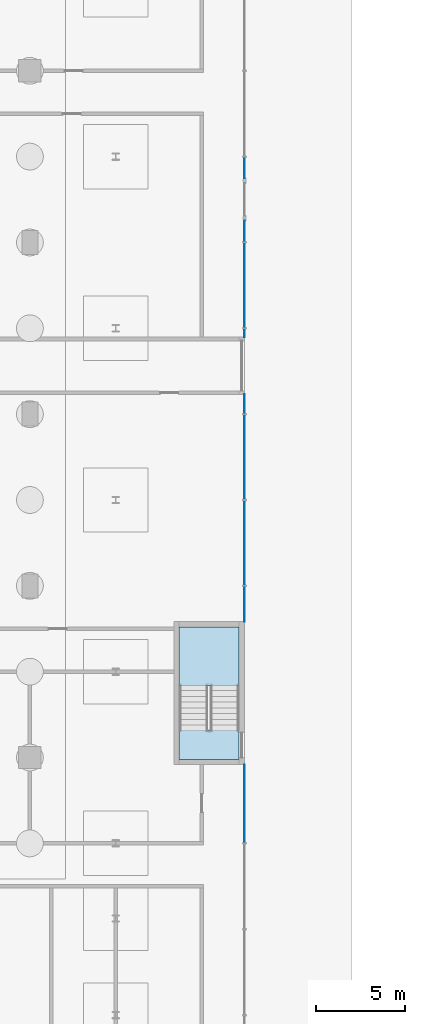
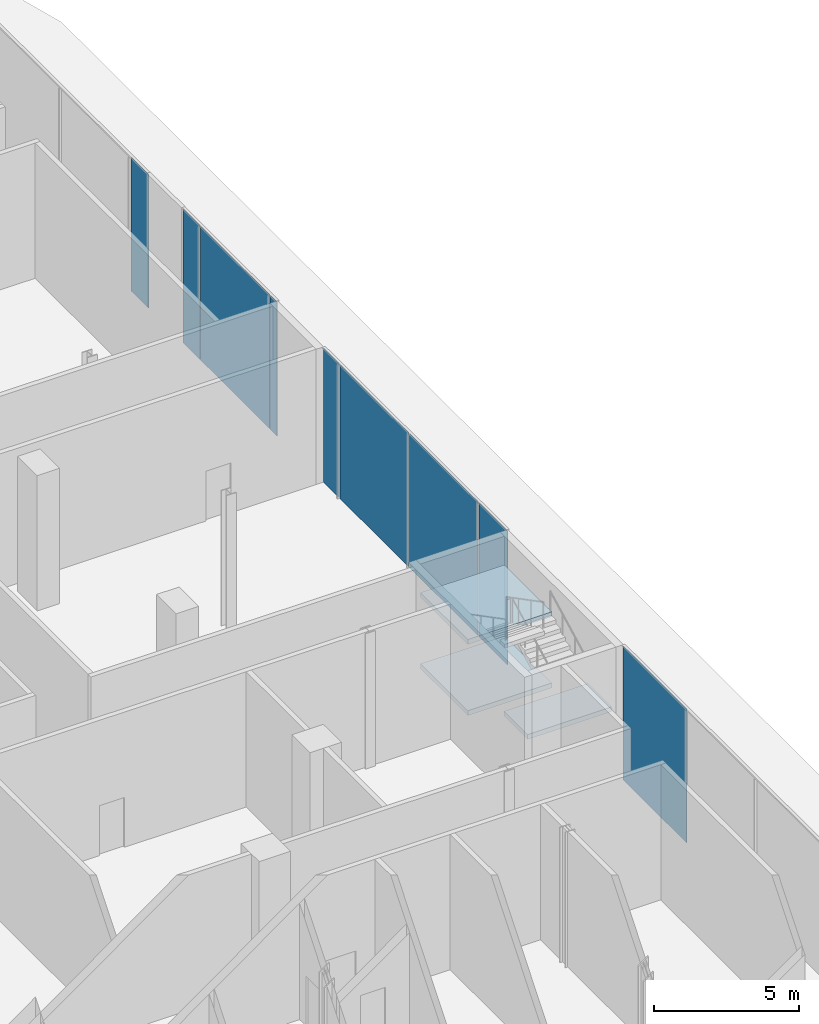
# One storey, part 27 of 44: 9 plates, 3 slabs, 2 elements without a shape of their own.
"""IFC4 building model written with IfcOpenShell, lengths in metres."""

import ifcopenshell
import ifcopenshell.guid

model = None  # the IFC model being written
_history = None  # IfcOwnerHistory: only IFC2X3 demands one
_inside = {}  # id of a spatial element -> (the spatial element, [elements in it])
_under = {}  # id of a project, library or spatial element -> (it, [spatial elements below it])
_declared = {}  # id of a project -> (the project, [libraries it declares])
_typed = {}  # id of a type object -> (the type object, [elements of that type])
_made_of = {}  # id of a material, layer set ... -> (it, [elements and type objects made of it])


def new_model(schema):
    """Start an empty IFC model of exactly this schema.

    Asked for "IFC4X3", IfcOpenShell would pick the latest addendum, in which some entities
    have other attributes; the version numbers below select the first issue.
    IFC2X3 requires an IfcOwnerHistory on every rooted entity: one is made here for all.
    """
    global model, _history
    if schema == "IFC4X3":
        model = ifcopenshell.file(schema_version=(4, 3, 0, 0))
    else:
        model = ifcopenshell.file(schema=schema)
    _inside.clear()
    _under.clear()
    _declared.clear()
    _typed.clear()
    _made_of.clear()
    _history = None
    if model.schema == "IFC2X3":
        org = make("IfcOrganization", Name="unknown")
        user = make(
            "IfcPersonAndOrganization",
            ThePerson=make("IfcPerson", FamilyName="unknown"),
            TheOrganization=org,
        )
        app = make(
            "IfcApplication",
            ApplicationDeveloper=org,
            Version="unknown",
            ApplicationFullName="unknown",
            ApplicationIdentifier="unknown",
        )
        _history = make(
            "IfcOwnerHistory",
            OwningUser=user,
            OwningApplication=app,
            ChangeAction="ADDED",
            CreationDate=0,
        )
    return model


def make(cls, **values):
    """One entity of the class cls with the attributes given. An attribute that is None is left unset."""
    return model.create_entity(
        cls, **{name: value for name, value in values.items() if value is not None}
    )


def rooted(cls, **values):
    """An entity with a GlobalId (a new one), such as an element, a storey or a relation."""
    return make(cls, GlobalId=ifcopenshell.guid.new(), OwnerHistory=_history, **values)


def si_unit(unit_type, name, prefix=None):
    """IfcSIUnit, for example si_unit("LENGTHUNIT", "METRE", prefix="MILLI")."""
    return make("IfcSIUnit", UnitType=unit_type, Prefix=prefix, Name=name)


def assignment(units):
    """IfcUnitAssignment: the units of a project."""
    return None if units is None else make("IfcUnitAssignment", Units=units)


def point(xyz):
    """IfcCartesianPoint."""
    return None if xyz is None else make("IfcCartesianPoint", Coordinates=xyz)


def direction(xyz):
    """IfcDirection."""
    return None if xyz is None else make("IfcDirection", DirectionRatios=xyz)


def frame(location, z_axis=None, x_axis=None):
    """IfcAxis2Placement3D, a coordinate frame: its origin and axes. An axis left out is left unset."""
    return make(
        "IfcAxis2Placement3D",
        Location=point(location),
        Axis=direction(z_axis),
        RefDirection=direction(x_axis),
    )


def frame_2d(location, x_axis=None):
    """IfcAxis2Placement2D, a coordinate frame in the plane: its origin and x axis."""
    return make(
        "IfcAxis2Placement2D", Location=point(location), RefDirection=direction(x_axis)
    )


def origin():
    """The frame at (0, 0, 0) with its axes left unset."""
    return frame((0.0, 0.0, 0.0))


def origin_2d():
    """The frame at (0, 0) in the plane with its x axis left unset."""
    return frame_2d((0.0, 0.0))


def place(relative_to, where):
    """IfcLocalPlacement: puts the frame where relative to a parent placement (None: the world)."""
    return make(
        "IfcLocalPlacement", PlacementRelTo=relative_to, RelativePlacement=where
    )


def context(
    kind, dimensions, precision=None, world=None, true_north=None, identifier=None
):
    """IfcGeometricRepresentationContext, for example the 3D "Model" context."""
    return make(
        "IfcGeometricRepresentationContext",
        ContextIdentifier=identifier,
        ContextType=kind,
        CoordinateSpaceDimension=dimensions,
        Precision=precision,
        WorldCoordinateSystem=world,
        TrueNorth=true_north,
    )


def subcontext(parent, identifier, kind, view, scale=None):
    """IfcGeometricRepresentationSubContext, for example "Body" below "Model"."""
    return make(
        "IfcGeometricRepresentationSubContext",
        ContextIdentifier=identifier,
        ContextType=kind,
        ParentContext=parent,
        TargetScale=scale,
        TargetView=view,
    )


def project(units=None, contexts=None):
    """IfcProject with its units and contexts."""
    return rooted(
        "IfcProject",
        Name="project",
        RepresentationContexts=contexts,
        UnitsInContext=assignment(units),
    )


def spatial(cls, under=None, at=None, **own):
    """A site, building, storey or space (cls), placed at a placement, below another one or the project."""
    s = rooted(cls, ObjectPlacement=at, **own)
    if under is not None:
        _under.setdefault(under.id(), (under, []))[1].append(s)
    return s


def polyline(points):
    """IfcPolyline through the points."""
    return make("IfcPolyline", Points=[point(p) for p in points])


def profile(cls, at=None, kind="AREA", **sizes):
    """A parametric profile (cls). Its sizes go by their IFC names, for example OverallWidth=200.0."""
    return make(cls, ProfileType=kind, Position=at, **sizes)


def rectangle(**sizes):
    """IfcRectangleProfileDef."""
    return profile("IfcRectangleProfileDef", **sizes)


def outline(outer, holes=None, kind="AREA"):
    """IfcArbitraryClosedProfileDef: a profile drawn as a closed curve; with holes, ...WithVoids."""
    if holes is None:
        return make("IfcArbitraryClosedProfileDef", ProfileType=kind, OuterCurve=outer)
    return make(
        "IfcArbitraryProfileDefWithVoids",
        ProfileType=kind,
        OuterCurve=outer,
        InnerCurves=holes,
    )


def extrude(swept, where, along, depth):
    """IfcExtrudedAreaSolid: the profile swept, set in the frame where, extruded along a direction by depth."""
    return make(
        "IfcExtrudedAreaSolid",
        SweptArea=swept,
        Position=where,
        ExtrudedDirection=direction(along),
        Depth=depth,
    )


def shape(context_of_items, identifier, shape_type, items):
    """IfcShapeRepresentation: the items that make up one representation, for example the "Body"."""
    return make(
        "IfcShapeRepresentation",
        ContextOfItems=context_of_items,
        RepresentationIdentifier=identifier,
        RepresentationType=shape_type,
        Items=items,
    )


def material(Name=None, Category=None):
    """IfcMaterial."""
    return make("IfcMaterial", Name=Name, Category=Category)


def layer(
    of_material, thickness, ventilated=None, Name=None, Category=None, Priority=None
):
    """IfcMaterialLayer: one layer of a wall or slab, of a material (None: an air gap)."""
    return make(
        "IfcMaterialLayer",
        Material=of_material,
        LayerThickness=thickness,
        IsVentilated=ventilated,
        Name=Name,
        Category=Category,
        Priority=Priority,
    )


def layer_set(layers, Name=None):
    """IfcMaterialLayerSet."""
    return make("IfcMaterialLayerSet", MaterialLayers=layers, LayerSetName=Name)


def made_of(thing, what):
    """Note that an element or type object is made of a material, layer set ...; save() writes the relation."""
    if what is not None:
        _made_of.setdefault(what.id(), (what, []))[1].append(thing)
    return thing


def type_object(cls, material=None, **own):
    """A type object (cls), such as IfcWallType, which elements share."""
    return made_of(rooted(cls, **own), material)


def element(
    cls,
    number,
    at=None,
    inside=None,
    cuts=None,
    type_object=None,
    material=None,
    context=None,
    identifier="Body",
    shape_type=None,
    held_by="IfcProductDefinitionShape",
    body=None,
    shapes=None,
    **own,
):
    """One element of the class cls, such as IfcWall. Its Tag is "e" and its number.

    at: its placement. inside: the storey or other place that contains it. cuts: it is an
    opening in that element (IfcRelVoidsElement). A single representation is given by context,
    identifier, shape_type and body (its items); several are given by shapes. held_by: the class
    of the entity that holds the representations. save() writes the other relations.
    """
    e = rooted(cls, Tag="e%d" % number, ObjectPlacement=at, **own)
    if body is not None:
        shapes = [shape(context, identifier, shape_type, body)]
    if shapes is not None:
        e.Representation = make(held_by, Representations=shapes)
    if inside is not None:
        _inside.setdefault(inside.id(), (inside, []))[1].append(e)
    if cuts is not None:
        rooted(
            "IfcRelVoidsElement", RelatingBuildingElement=cuts, RelatedOpeningElement=e
        )
    if type_object is not None:
        _typed.setdefault(type_object.id(), (type_object, []))[1].append(e)
    return made_of(e, material)


def aggregate(whole, parts):
    """IfcRelAggregates: a whole, such as a stair, and the parts it consists of."""
    return rooted("IfcRelAggregates", RelatingObject=whole, RelatedObjects=parts)


def save(model, path):
    """Write the relations noted so far, then the file.

    IfcRelAggregates (storeys below a building ...), IfcRelContainedInSpatialStructure (elements
    in a storey), IfcRelDefinesByType, IfcRelAssociatesMaterial and IfcRelDeclares: one each for
    every whole, place, type object, material and project.
    """
    for whole, parts in _under.values():
        aggregate(whole, parts)
    for where, things in _inside.values():
        rooted(
            "IfcRelContainedInSpatialStructure",
            RelatedElements=things,
            RelatingStructure=where,
        )
    for kind, things in _typed.values():
        rooted("IfcRelDefinesByType", RelatedObjects=things, RelatingType=kind)
    for what, things in _made_of.values():
        rooted("IfcRelAssociatesMaterial", RelatedObjects=things, RelatingMaterial=what)
    for by, libraries in _declared.values():
        rooted("IfcRelDeclares", RelatingContext=by, RelatedDefinitions=libraries)
    model.write(path)


model = new_model("IFC4")

# Units and contexts
model_context = context("Model", 3, precision=1e-05, world=origin(), true_north=direction((0.0, 1.0)))
body_context = subcontext(model_context, "Body", "Model", "MODEL_VIEW")
ifc_project = project(units=[si_unit("LENGTHUNIT", "METRE"), si_unit("AREAUNIT", "SQUARE_METRE"), si_unit("VOLUMEUNIT", "CUBIC_METRE"), si_unit("PLANEANGLEUNIT", "RADIAN"), si_unit("MASSUNIT", "GRAM", prefix="KILO")], contexts=[model_context])

# Site, building, storey
site_placement = place(None, origin())
site = spatial("IfcSite", under=ifc_project, at=site_placement, CompositionType="ELEMENT")
building_placement = place(site_placement, origin())
building = spatial("IfcBuilding", under=site, at=building_placement, Name="Madar Terraces", CompositionType="ELEMENT")
storey_placement = place(building_placement, origin())
storey = spatial("IfcBuildingStorey", under=building, at=storey_placement, Name="L00", CompositionType="ELEMENT", Elevation=0.0)

# Curtain wall, plates
ifc_material_1 = material(Name="Glass, clear low-iron, with black aluminium frame", Category="aluminium")
ifc_layer_1 = layer(ifc_material_1, 0.199951171875)
ifc_layer_set_1 = layer_set([ifc_layer_1], Name="Facade curtain wall, shopfront glazing")
curtain_wall_type = type_object("IfcCurtainWallType", Name="Facade curtain wall, shopfront glazing", PredefinedType="NOTDEFINED", material=ifc_layer_set_1)
curtain_wall_placement = place(storey_placement, origin())
curtain_wall = element("IfcCurtainWall", 1, at=curtain_wall_placement, inside=storey, type_object=curtain_wall_type, Name="Outer skin curtain wall east bay 1", PredefinedType="NOTDEFINED")
ifc_material_2 = material(Name="Glass, ceramic frit dark grey", Category="glass")
ifc_layer_2 = layer(ifc_material_2, 0.028076171875)
ifc_layer_set_2 = layer_set([ifc_layer_2], Name="Facade glass panel 28")
plate_type = type_object("IfcPlateType", Name="Facade glass panel 28", PredefinedType="CURTAIN_PANEL", material=ifc_layer_set_2)
plate_1_placement = place(storey_placement, frame((69.60009765625, 2.215087890625, 0.0), z_axis=(0.0, 0.0, 1.0), x_axis=(0.0, 1.0, 0.0)))
plate_1 = element("IfcPlate", 2, at=plate_1_placement, type_object=plate_type, Name="Panel 12", PredefinedType="CURTAIN_PANEL", context=body_context, shape_type="SweptSolid", body=[
    extrude(rectangle(XDim=4.3701171875, YDim=0.028076171875, at=origin_2d()), origin(), (0.0, 0.0, 1.0), 5.639892578125),
])
plate_2_placement = place(storey_placement, frame((69.60009765625, 13.385009765625, 0.0), z_axis=(0.0, 0.0, 1.0), x_axis=(0.0, 1.0, 0.0)))
plate_2 = element("IfcPlate", 3, at=plate_2_placement, type_object=plate_type, Name="Panel 13", PredefinedType="CURTAIN_PANEL", context=body_context, shape_type="SweptSolid", body=[
    extrude(rectangle(XDim=1.969970703125, YDim=0.028076171875, at=origin_2d()), origin(), (0.0, 0.0, 1.0), 5.639892578125),
])
plate_3_placement = place(storey_placement, frame((69.60009765625, 16.800048828125, 0.0), z_axis=(0.0, 0.0, 1.0), x_axis=(0.0, 1.0, 0.0)))
plate_3 = element("IfcPlate", 4, at=plate_3_placement, type_object=plate_type, Name="Panel 14", PredefinedType="CURTAIN_PANEL", context=body_context, shape_type="SweptSolid", body=[
    extrude(rectangle(XDim=4.739990234375, YDim=0.028076171875, at=origin_2d()), origin(), (0.0, 0.0, 1.0), 5.639892578125),
])
plate_4_placement = place(storey_placement, frame((69.60009765625, 21.60009765625, 0.0), z_axis=(0.0, 0.0, 1.0), x_axis=(0.0, 1.0, 0.0)))
plate_4 = element("IfcPlate", 5, at=plate_4_placement, type_object=plate_type, Name="Panel 15", PredefinedType="CURTAIN_PANEL", context=body_context, shape_type="SweptSolid", body=[
    extrude(rectangle(XDim=4.739990234375, YDim=0.028076171875, at=origin_2d()), origin(), (0.0, 0.0, 1.0), 5.639892578125),
])
plate_5_placement = place(storey_placement, frame((69.60009765625, 24.56494140625, 0.0), z_axis=(0.0, 0.0, 1.0), x_axis=(0.0, 1.0, 0.0)))
plate_5 = element("IfcPlate", 6, at=plate_5_placement, type_object=plate_type, Name="Panel 16", PredefinedType="CURTAIN_PANEL", context=body_context, shape_type="SweptSolid", body=[
    extrude(rectangle(XDim=1.070068359375, YDim=0.028076171875, at=origin_2d()), origin(), (0.0, 0.0, 1.0), 5.639892578125),
])
plate_6_placement = place(storey_placement, frame((69.60009765625, 28.534912109375, 0.0), z_axis=(0.0, 0.0, 1.0), x_axis=(0.0, 1.0, 0.0)))
plate_6 = element("IfcPlate", 7, at=plate_6_placement, type_object=plate_type, Name="Panel 17", PredefinedType="CURTAIN_PANEL", context=body_context, shape_type="SweptSolid", body=[
    extrude(rectangle(XDim=0.469970703125, YDim=0.028076171875, at=origin_2d()), origin(), (0.0, 0.0, 1.0), 5.639892578125),
])
plate_7_placement = place(storey_placement, frame((69.60009765625, 31.199951171875, 0.0), z_axis=(0.0, 0.0, 1.0), x_axis=(0.0, 1.0, 0.0)))
plate_7 = element("IfcPlate", 8, at=plate_7_placement, type_object=plate_type, Name="Panel 18", PredefinedType="CURTAIN_PANEL", context=body_context, shape_type="SweptSolid", body=[
    extrude(rectangle(XDim=4.739990234375, YDim=0.028076171875, at=origin_2d()), origin(), (0.0, 0.0, 1.0), 5.639892578125),
])
plate_8_placement = place(storey_placement, frame((69.60009765625, 34.215087890625, 0.0), z_axis=(0.0, 0.0, 1.0), x_axis=(0.0, 1.0, 0.0)))
plate_8 = element("IfcPlate", 9, at=plate_8_placement, type_object=plate_type, Name="Panel 19", PredefinedType="CURTAIN_PANEL", context=body_context, shape_type="SweptSolid", body=[
    extrude(rectangle(XDim=1.169921875, YDim=0.028076171875, at=origin_2d()), origin(), (0.0, 0.0, 1.0), 5.639892578125),
])
plate_9_placement = place(storey_placement, frame((69.60009765625, 37.784912109375, 0.0), z_axis=(0.0, 0.0, 1.0), x_axis=(0.0, 1.0, 0.0)))
plate_9 = element("IfcPlate", 10, at=plate_9_placement, type_object=plate_type, Name="Panel 20", PredefinedType="CURTAIN_PANEL", context=body_context, shape_type="SweptSolid", body=[
    extrude(rectangle(XDim=1.169921875, YDim=0.028076171875, at=origin_2d()), origin(), (0.0, 0.0, 1.0), 5.639892578125),
])
aggregate(curtain_wall, [plate_1, plate_2, plate_3, plate_4, plate_5, plate_6, plate_7, plate_8, plate_9])

# Stair, slabs
ifc_material_3 = material(Name="Concrete C50/60", Category="concrete")
stair_type = type_object("IfcStairType", Name="Stair PS3 protected exit", PredefinedType="HALF_TURN_STAIR", material=ifc_material_3)
stair_placement = place(storey_placement, origin())
stair = element("IfcStair", 11, at=stair_placement, inside=storey, type_object=stair_type, Name="L00 Protected Exit Stair PS3", PredefinedType="HALF_TURN_STAIR")
ifc_material_4 = material(Name="Concrete C50/60", Category="concrete")
ifc_layer_3 = layer(ifc_material_4, 0.199951171875)
ifc_layer_set_3 = layer_set([ifc_layer_3], Name="Stair landing 200, top +1.50")
slab_type_1 = type_object("IfcSlabType", Name="Stair landing 200, top +1.50", PredefinedType="LANDING", material=ifc_layer_set_3)
slab_1_placement = place(storey_placement, frame((0.0, 0.0, 1.300048828125)))
slab_1 = element("IfcSlab", 12, at=slab_1_placement, type_object=slab_type_1, Name="PS3 landing 1", PredefinedType="LANDING", context=body_context, shape_type="SweptSolid", body=[
    extrude(outline(polyline([(65.949951171875, 8.830078125), (69.300048828125, 8.830078125), (69.300048828125, 12.10009765625), (65.949951171875, 12.10009765625), (65.949951171875, 8.830078125)])), origin(), (0.0, 0.0, 1.0), 0.199951171875),
])
ifc_material_5 = material(Name="Concrete C50/60", Category="concrete")
ifc_layer_4 = layer(ifc_material_5, 0.199951171875)
ifc_layer_set_4 = layer_set([ifc_layer_4], Name="Stair landing 200, top +3.00")
slab_type_2 = type_object("IfcSlabType", Name="Stair landing 200, top +3.00", PredefinedType="LANDING", material=ifc_layer_set_4)
slab_2_placement = place(storey_placement, frame((0.0, 0.0, 2.800048828125)))
slab_2 = element("IfcSlab", 13, at=slab_2_placement, type_object=slab_type_2, Name="PS3 landing 2", PredefinedType="LANDING", context=body_context, shape_type="SweptSolid", body=[
    extrude(outline(polyline([(65.949951171875, 4.699951171875), (69.300048828125, 4.699951171875), (69.300048828125, 6.330078125), (65.949951171875, 6.330078125), (65.949951171875, 4.699951171875)])), origin(), (0.0, 0.0, 1.0), 0.199951171875),
])
ifc_material_6 = material(Name="Concrete C50/60", Category="concrete")
ifc_layer_5 = layer(ifc_material_6, 0.199951171875)
ifc_layer_set_5 = layer_set([ifc_layer_5], Name="Stair landing 200, top +4.50")
slab_type_3 = type_object("IfcSlabType", Name="Stair landing 200, top +4.50", PredefinedType="LANDING", material=ifc_layer_set_5)
slab_3_placement = place(storey_placement, frame((0.0, 0.0, 4.300048828125)))
slab_3 = element("IfcSlab", 14, at=slab_3_placement, type_object=slab_type_3, Name="PS3 landing 3", PredefinedType="LANDING", context=body_context, shape_type="SweptSolid", body=[
    extrude(outline(polyline([(65.949951171875, 8.830078125), (69.300048828125, 8.830078125), (69.300048828125, 12.10009765625), (65.949951171875, 12.10009765625), (65.949951171875, 8.830078125)])), origin(), (0.0, 0.0, 1.0), 0.199951171875),
])
aggregate(stair, [slab_1, slab_2, slab_3])

save(model, "model.ifc")
